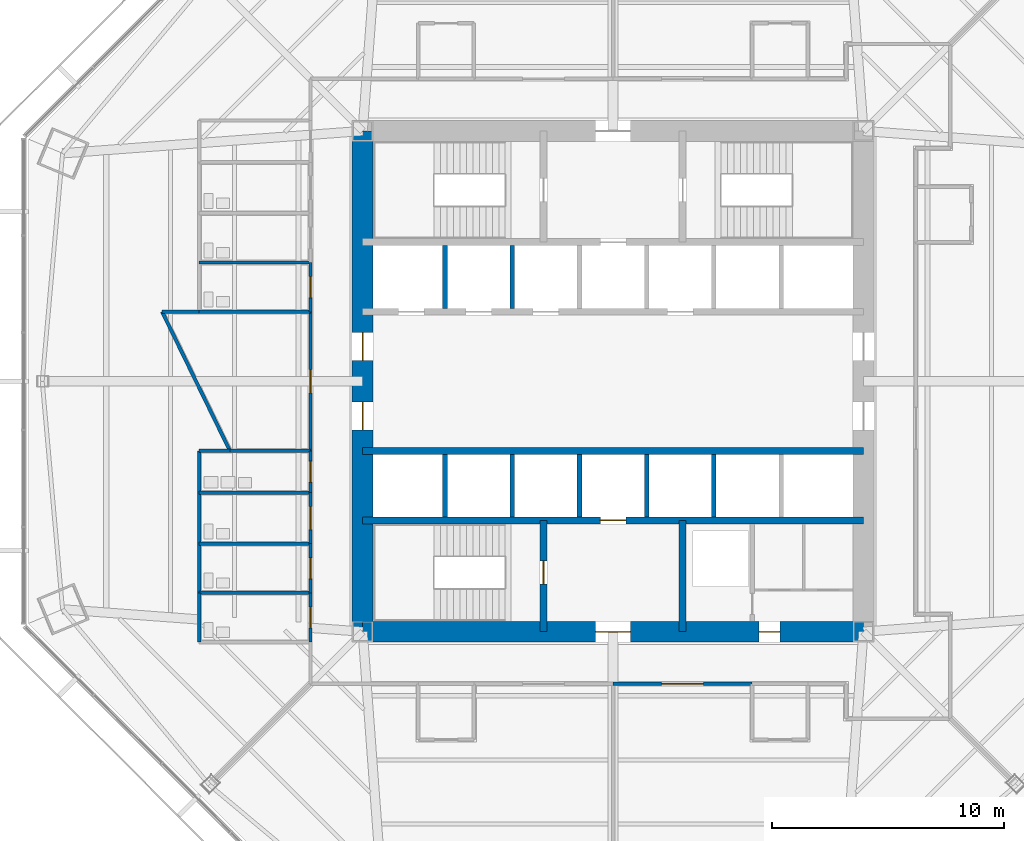
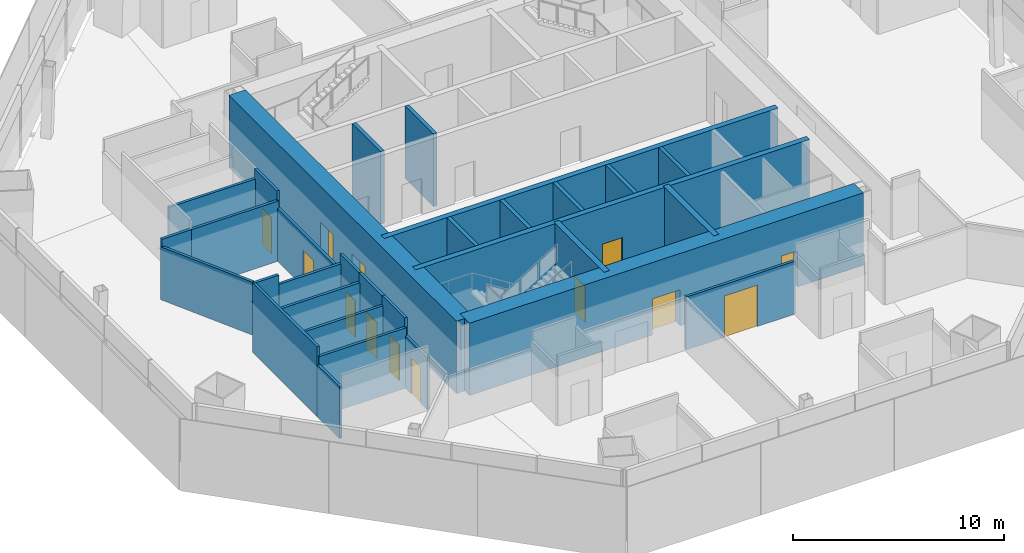
# One storey, part 10 of 17: 31 walls, 13 doors, 13 openings.
"""IFC4 building model written with IfcOpenShell, lengths in metres."""

from ifc_helpers import new_model, si_unit, direction, frame, frame_2d, origin, place, context, subcontext, project, spatial, rectangle, extrude, material, layer, layer_set, type_object, element, fill, save


model = new_model("IFC4")

# Units and contexts
model_context = context("Model", 3, precision=1e-05, world=origin(), true_north=direction((0.0, 1.0)))
body_context = subcontext(model_context, "Body", "Model", "MODEL_VIEW")
ifc_project = project(units=[si_unit("LENGTHUNIT", "METRE"), si_unit("AREAUNIT", "SQUARE_METRE"), si_unit("VOLUMEUNIT", "CUBIC_METRE"), si_unit("PLANEANGLEUNIT", "RADIAN"), si_unit("MASSUNIT", "GRAM", prefix="KILO")], contexts=[model_context])

# Site, building, storey
site_placement = place(None, origin())
site = spatial("IfcSite", under=ifc_project, at=site_placement, CompositionType="ELEMENT")
building_placement = place(site_placement, origin())
building = spatial("IfcBuilding", under=site, at=building_placement, Name="Mashrafa Tower", CompositionType="ELEMENT")
storey_placement = place(building_placement, frame((0.0, 0.0, 91.800048828125)))
storey = spatial("IfcBuildingStorey", under=building, at=storey_placement, Name="L20", CompositionType="ELEMENT", Elevation=91.800048828125)

# Wall
ifc_material_1 = material(Name="Concrete C60/75", Category="concrete")
ifc_layer_1 = layer(ifc_material_1, 0.300048828125)
ifc_layer_set_1 = layer_set([ifc_layer_1], Name="Core wall 300 C60/75")
wall_type_1 = type_object("IfcWallType", Name="Core wall 300 C60/75", PredefinedType="SOLIDWALL", material=ifc_layer_set_1)
wall_1_placement = place(storey_placement, frame((-10.800048828125, -3.0, 0.0), z_axis=(0.0, 0.0, 1.0), x_axis=(1.0, 0.0, 0.0)))
element("IfcWall", 1, at=wall_1_placement, inside=storey, type_object=wall_type_1, Name="Core wall CH-S L20", PredefinedType="SOLIDWALL", context=body_context, shape_type="SweptSolid", body=[
    extrude(rectangle(XDim=21.60009765625, YDim=0.300048828125, at=frame_2d((10.800048828125, 0.0))), origin(), (0.0, 0.0, 1.0), 4.199951171875),
])

# Wall, opening, door
wall_2_placement = place(storey_placement, frame((-10.800048828125, -6.0, 0.0), z_axis=(0.0, 0.0, 1.0), x_axis=(1.0, 0.0, 0.0)))
wall_2 = element("IfcWall", 2, at=wall_2_placement, inside=storey, type_object=wall_type_1, Name="Core wall CB-S L20", PredefinedType="SOLIDWALL", context=body_context, shape_type="SweptSolid", body=[
    extrude(rectangle(XDim=21.60009765625, YDim=0.300048828125, at=frame_2d((10.800048828125, 0.0))), origin(), (0.0, 0.0, 1.0), 4.199951171875),
])
opening_1_placement = place(wall_2_placement, frame((10.25, 0.0, 0.0)))
opening_1 = element("IfcOpeningElement", 3, at=opening_1_placement, cuts=wall_2, Name="Opening 20.F2", PredefinedType="OPENING", context=body_context, shape_type="SweptSolid", body=[
    extrude(rectangle(XDim=1.10009765625, YDim=2.10009765625, at=frame_2d((0.550048828125, 1.050048828125))), frame((0.0, 0.159912109375, 0.0), z_axis=(0.0, -1.0, 0.0), x_axis=(1.0, 0.0, 0.0)), (0.0, 0.0, 1.0), 0.320068359375),
])
ifc_material_2 = material(Name="Steel door", Category="steel")
door_type_1 = type_object("IfcDoorType", Name="Lift landing door 1100 x 2100 90 min", OperationType="DOUBLE_DOOR_SLIDING", PredefinedType="DOOR", material=ifc_material_2)
door_1_placement = place(opening_1_placement, origin())
door_1 = element("IfcDoor", 4, at=door_1_placement, inside=storey, type_object=door_type_1, Name="Lift landing door F2 L20", OperationType="DOUBLE_DOOR_SLIDING", OverallHeight=2.10009765625, OverallWidth=1.10009765625, PredefinedType="DOOR", context=body_context, shape_type="SweptSolid", body=[
    extrude(rectangle(XDim=1.10009765625, YDim=2.10009765625, at=frame_2d((0.550048828125, 1.050048828125))), frame((0.0, 0.02490234375, 0.0), z_axis=(0.0, -1.0, 0.0), x_axis=(1.0, 0.0, 0.0)), (0.0, 0.0, 1.0), 0.050048828125),
])
fill(opening_1, door_1)

wall_3_placement = place(storey_placement, frame((-3.0, -6.0, 0.0), z_axis=(0.0, 0.0, 1.0), x_axis=(0.0, -1.0, 0.0)))
wall_3 = element("IfcWall", 5, at=wall_3_placement, inside=storey, type_object=wall_type_1, Name="Core wall CX-SW L20", PredefinedType="SOLIDWALL", context=body_context, shape_type="SweptSolid", body=[
    extrude(rectangle(XDim=4.800048828125, YDim=0.300048828125, at=frame_2d((2.39990234375, 0.0))), origin(), (0.0, 0.0, 1.0), 4.199951171875),
])
opening_2_placement = place(wall_3_placement, frame((1.75, 0.0, 0.0)))
opening_2 = element("IfcOpeningElement", 6, at=opening_2_placement, cuts=wall_3, Name="Opening 20.034", PredefinedType="OPENING", context=body_context, shape_type="SweptSolid", body=[
    extrude(rectangle(XDim=1.0, YDim=2.10009765625, at=frame_2d((0.5, 1.050048828125))), frame((0.0, 0.159912109375, 0.0), z_axis=(0.0, -1.0, 0.0), x_axis=(1.0, 0.0, 0.0)), (0.0, 0.0, 1.0), 0.320068359375),
])
ifc_material_3 = material(Name="Steel door", Category="steel")
door_type_2 = type_object("IfcDoorType", Name="Stair door 1000 x 2100 90 min", OperationType="USERDEFINED", PredefinedType="DOOR", material=ifc_material_3)
door_2_placement = place(opening_2_placement, frame((1.0, 0.0, 0.0), z_axis=(0.0, 0.0, 1.0), x_axis=(-1.0, 0.0, 0.0)))
door_2 = element("IfcDoor", 7, at=door_2_placement, inside=storey, type_object=door_type_2, Name="Stair S3 door L20", OperationType="SINGLE_SWING_RIGHT", OverallHeight=2.10009765625, OverallWidth=1.0, PredefinedType="DOOR", context=body_context, shape_type="SweptSolid", body=[
    extrude(rectangle(XDim=1.0, YDim=2.10009765625, at=frame_2d((0.5, 1.050048828125))), frame((0.0, 0.02490234375, 0.0), z_axis=(0.0, -1.0, 0.0), x_axis=(1.0, 0.0, 0.0)), (0.0, 0.0, 1.0), 0.050048828125),
])
fill(opening_2, door_2)

# Wall
wall_4_placement = place(storey_placement, frame((3.0, -6.0, 0.0), z_axis=(0.0, 0.0, 1.0), x_axis=(0.0, -1.0, 0.0)))
element("IfcWall", 8, at=wall_4_placement, inside=storey, type_object=wall_type_1, Name="Core wall CX-SE L20", PredefinedType="SOLIDWALL", context=body_context, shape_type="SweptSolid", body=[
    extrude(rectangle(XDim=4.800048828125, YDim=0.300048828125, at=frame_2d((2.39990234375, 0.0))), origin(), (0.0, 0.0, 1.0), 4.199951171875),
])

# Wall, openings, doors
ifc_material_4 = material(Name="Concrete C60/75", Category="concrete")
ifc_layer_2 = layer(ifc_material_4, 0.89990234375)
ifc_layer_set_2 = layer_set([ifc_layer_2], Name="Core wall 900 C60/75")
wall_type_2 = type_object("IfcWallType", Name="Core wall 900 C60/75", PredefinedType="SOLIDWALL", material=ifc_layer_set_2)
wall_5_placement = place(storey_placement, frame((-10.800048828125, -10.800048828125, 0.0), z_axis=(0.0, 0.0, 1.0), x_axis=(1.0, 0.0, 0.0)))
wall_5 = element("IfcWall", 9, at=wall_5_placement, inside=storey, type_object=wall_type_2, Name="Core wall CW-S L20", PredefinedType="SOLIDWALL", context=body_context, shape_type="SweptSolid", body=[
    extrude(rectangle(XDim=21.60009765625, YDim=0.89990234375, at=frame_2d((10.800048828125, 0.0))), origin(), (0.0, 0.0, 1.0), 4.199951171875),
])
opening_3_placement = place(wall_5_placement, frame((10.050048828125, 0.0, 0.0)))
opening_3 = element("IfcOpeningElement", 10, at=opening_3_placement, cuts=wall_5, Name="Opening 20.031", PredefinedType="OPENING", context=body_context, shape_type="SweptSolid", body=[
    extrude(rectangle(XDim=1.5, YDim=2.10009765625, at=frame_2d((0.75, 1.050048828125))), frame((0.0, 0.4599609375, 0.0), z_axis=(0.0, -1.0, 0.0), x_axis=(1.0, 0.0, 0.0)), (0.0, 0.0, 1.0), 0.919921875),
])
opening_4_placement = place(wall_5_placement, frame((17.10009765625, 0.0, 0.0)))
opening_4 = element("IfcOpeningElement", 11, at=opening_4_placement, cuts=wall_5, Name="Opening 20.035", PredefinedType="OPENING", context=body_context, shape_type="SweptSolid", body=[
    extrude(rectangle(XDim=0.89990234375, YDim=2.10009765625, at=frame_2d((0.449951171875, 1.050048828125))), frame((0.0, 0.4599609375, 0.0), z_axis=(0.0, -1.0, 0.0), x_axis=(1.0, 0.0, 0.0)), (0.0, 0.0, 1.0), 0.919921875),
])
ifc_material_5 = material(Name="Steel door", Category="steel")
door_type_3 = type_object("IfcDoorType", Name="Lobby door pair 1500 x 2100 90 min", OperationType="DOUBLE_DOOR_SINGLE_SWING", PredefinedType="DOOR", material=ifc_material_5)
door_3_placement = place(opening_3_placement, origin())
door_3 = element("IfcDoor", 12, at=door_3_placement, inside=storey, type_object=door_type_3, Name="Fire-fighting lobby F2 door L20", OperationType="DOUBLE_DOOR_SINGLE_SWING", OverallHeight=2.10009765625, OverallWidth=1.5, PredefinedType="DOOR", context=body_context, shape_type="SweptSolid", body=[
    extrude(rectangle(XDim=1.5, YDim=2.10009765625, at=frame_2d((0.75, 1.050048828125))), frame((0.0, 0.02490234375, 0.0), z_axis=(0.0, -1.0, 0.0), x_axis=(1.0, 0.0, 0.0)), (0.0, 0.0, 1.0), 0.050048828125),
])
fill(opening_3, door_3)
ifc_material_6 = material(Name="Steel door", Category="steel")
door_type_4 = type_object("IfcDoorType", Name="Service door 900 x 2100 90 min", OperationType="USERDEFINED", PredefinedType="DOOR", material=ifc_material_6)
door_4_placement = place(opening_4_placement, frame((0.89990234375, 0.0, 0.0), z_axis=(0.0, 0.0, 1.0), x_axis=(-1.0, 0.0, 0.0)))
door_4 = element("IfcDoor", 13, at=door_4_placement, inside=storey, type_object=door_type_4, Name="Services Lobby L20 door", OperationType="SINGLE_SWING_LEFT", OverallHeight=2.10009765625, OverallWidth=0.89990234375, PredefinedType="DOOR", context=body_context, shape_type="SweptSolid", body=[
    extrude(rectangle(XDim=0.89990234375, YDim=2.10009765625, at=frame_2d((0.449951171875, 1.050048828125))), frame((0.0, 0.02490234375, 0.0), z_axis=(0.0, -1.0, 0.0), x_axis=(1.0, 0.0, 0.0)), (0.0, 0.0, 1.0), 0.050048828125),
])
fill(opening_4, door_4)

wall_6_placement = place(storey_placement, frame((-10.800048828125, 10.800048828125, 0.0), z_axis=(0.0, 0.0, 1.0), x_axis=(0.0, -1.0, 0.0)))
wall_6 = element("IfcWall", 14, at=wall_6_placement, inside=storey, type_object=wall_type_2, Name="Core wall CW-W L20", PredefinedType="SOLIDWALL", context=body_context, shape_type="SweptSolid", body=[
    extrude(rectangle(XDim=21.60009765625, YDim=0.89990234375, at=frame_2d((10.800048828125, 0.0))), origin(), (0.0, 0.0, 1.0), 4.199951171875),
])
opening_5_placement = place(wall_6_placement, frame((8.699951171875, 0.0, 0.0)))
opening_5 = element("IfcOpeningElement", 15, at=opening_5_placement, cuts=wall_6, Name="Opening 20.027", PredefinedType="OPENING", context=body_context, shape_type="SweptSolid", body=[
    extrude(rectangle(XDim=1.199951171875, YDim=2.10009765625, at=frame_2d((0.60009765625, 1.050048828125))), frame((0.0, 0.4599609375, 0.0), z_axis=(0.0, -1.0, 0.0), x_axis=(1.0, 0.0, 0.0)), (0.0, 0.0, 1.0), 0.919921875),
])
opening_6_placement = place(wall_6_placement, frame((11.699951171875, 0.0, 0.0)))
opening_6 = element("IfcOpeningElement", 16, at=opening_6_placement, cuts=wall_6, Name="Opening 20.029", PredefinedType="OPENING", context=body_context, shape_type="SweptSolid", body=[
    extrude(rectangle(XDim=1.199951171875, YDim=2.10009765625, at=frame_2d((0.60009765625, 1.050048828125))), frame((0.0, 0.4599609375, 0.0), z_axis=(0.0, -1.0, 0.0), x_axis=(1.0, 0.0, 0.0)), (0.0, 0.0, 1.0), 0.919921875),
])
ifc_material_7 = material(Name="Steel door", Category="steel")
door_type_5 = type_object("IfcDoorType", Name="Lift hall door 1200 x 2100 90 min", OperationType="USERDEFINED", PredefinedType="DOOR", material=ifc_material_7)
door_5_placement = place(opening_5_placement, frame((1.199951171875, 0.0, 0.0), z_axis=(0.0, 0.0, 1.0), x_axis=(-1.0, 0.0, 0.0)))
door_5 = element("IfcDoor", 17, at=door_5_placement, inside=storey, type_object=door_type_5, Name="Lift hall door west L20", OperationType="SINGLE_SWING_RIGHT", OverallHeight=2.10009765625, OverallWidth=1.199951171875, PredefinedType="DOOR", context=body_context, shape_type="SweptSolid", body=[
    extrude(rectangle(XDim=1.199951171875, YDim=2.10009765625, at=frame_2d((0.60009765625, 1.050048828125))), frame((0.0, 0.02490234375, 0.0), z_axis=(0.0, -1.0, 0.0), x_axis=(1.0, 0.0, 0.0)), (0.0, 0.0, 1.0), 0.050048828125),
])
fill(opening_5, door_5)
door_6_placement = place(opening_6_placement, frame((1.199951171875, 0.0, 0.0), z_axis=(0.0, 0.0, 1.0), x_axis=(-1.0, 0.0, 0.0)))
door_6 = element("IfcDoor", 18, at=door_6_placement, inside=storey, type_object=door_type_5, Name="Lift hall door west L20", OperationType="SINGLE_SWING_LEFT", OverallHeight=2.10009765625, OverallWidth=1.199951171875, PredefinedType="DOOR", context=body_context, shape_type="SweptSolid", body=[
    extrude(rectangle(XDim=1.199951171875, YDim=2.10009765625, at=frame_2d((0.60009765625, 1.050048828125))), frame((0.0, 0.02490234375, 0.0), z_axis=(0.0, -1.0, 0.0), x_axis=(1.0, 0.0, 0.0)), (0.0, 0.0, 1.0), 0.050048828125),
])
fill(opening_6, door_6)

# Wall, opening, door
ifc_material_8 = material(Name="Gypsum board on steel studs", Category="steel")
ifc_layer_3 = layer(ifc_material_8, 0.14990234375)
ifc_layer_set_3 = layer_set([ifc_layer_3], Name="Corridor partition 150 1 hr")
wall_type_3 = type_object("IfcWallType", Name="Corridor partition 150 1 hr", PredefinedType="PARTITIONING", material=ifc_layer_set_3)
wall_7_placement = place(storey_placement, frame((-13.050048828125, 5.1259765625, 0.0), z_axis=(0.0, 0.0, 1.0), x_axis=(0.0, -1.0, 0.0)))
wall_7 = element("IfcWall", 19, at=wall_7_placement, inside=storey, type_object=wall_type_3, Name="Corridor wall L20-001", PredefinedType="PARTITIONING", context=body_context, shape_type="SweptSolid", body=[
    extrude(rectangle(XDim=2.126953125, YDim=0.14990234375, at=frame_2d((1.0634765625, 0.0))), origin(), (0.0, 0.0, 1.0), 4.034912109375),
])
opening_7_placement = place(wall_7_placement, frame((0.613525390625, 0.0, 0.0)))
opening_7 = element("IfcOpeningElement", 20, at=opening_7_placement, cuts=wall_7, Name="Opening 20.001", PredefinedType="OPENING", context=body_context, shape_type="SweptSolid", body=[
    extrude(rectangle(XDim=0.89990234375, YDim=2.10009765625, at=frame_2d((0.449951171875, 1.050048828125))), frame((0.0, 0.0849609375, 0.0), z_axis=(0.0, -1.0, 0.0), x_axis=(1.0, 0.0, 0.0)), (0.0, 0.0, 1.0), 0.169921875),
])
ifc_material_9 = material(Name="Timber door", Category="wood")
door_type_6 = type_object("IfcDoorType", Name="Toilet door 900 x 2100", OperationType="USERDEFINED", PredefinedType="DOOR", material=ifc_material_9)
door_7_placement = place(opening_7_placement, frame((0.89990234375, 0.0, 0.0), z_axis=(0.0, 0.0, 1.0), x_axis=(-1.0, 0.0, 0.0)))
door_7 = element("IfcDoor", 21, at=door_7_placement, inside=storey, type_object=door_type_6, Name="WC Female L20 N door", OperationType="SINGLE_SWING_RIGHT", OverallHeight=2.10009765625, OverallWidth=0.89990234375, PredefinedType="DOOR", context=body_context, shape_type="SweptSolid", body=[
    extrude(rectangle(XDim=0.89990234375, YDim=2.10009765625, at=frame_2d((0.449951171875, 1.050048828125))), frame((0.0, 0.02490234375, 0.0), z_axis=(0.0, -1.0, 0.0), x_axis=(1.0, 0.0, 0.0)), (0.0, 0.0, 1.0), 0.050048828125),
])
fill(opening_7, door_7)

wall_8_placement = place(storey_placement, frame((-13.050048828125, -9.1240234375, 0.0), z_axis=(0.0, 0.0, 1.0), x_axis=(0.0, -1.0, 0.0)))
wall_8 = element("IfcWall", 22, at=wall_8_placement, inside=storey, type_object=wall_type_3, Name="Corridor wall L20-005", PredefinedType="PARTITIONING", context=body_context, shape_type="SweptSolid", body=[
    extrude(rectangle(XDim=2.126953125, YDim=0.14990234375, at=frame_2d((1.0634765625, 0.0))), origin(), (0.0, 0.0, 1.0), 3.01416015625),
])
opening_8_placement = place(wall_8_placement, frame((0.613525390625, 0.0, 0.0)))
opening_8 = element("IfcOpeningElement", 23, at=opening_8_placement, cuts=wall_8, Name="Opening 20.005", PredefinedType="OPENING", context=body_context, shape_type="SweptSolid", body=[
    extrude(rectangle(XDim=0.89990234375, YDim=2.10009765625, at=frame_2d((0.449951171875, 1.050048828125))), frame((0.0, 0.0849609375, 0.0), z_axis=(0.0, -1.0, 0.0), x_axis=(1.0, 0.0, 0.0)), (0.0, 0.0, 1.0), 0.169921875),
])
door_8_placement = place(opening_8_placement, frame((0.89990234375, 0.0, 0.0), z_axis=(0.0, 0.0, 1.0), x_axis=(-1.0, 0.0, 0.0)))
door_8 = element("IfcDoor", 24, at=door_8_placement, inside=storey, type_object=door_type_6, Name="WC Female L20 S door", OperationType="SINGLE_SWING_RIGHT", OverallHeight=2.10009765625, OverallWidth=0.89990234375, PredefinedType="DOOR", context=body_context, shape_type="SweptSolid", body=[
    extrude(rectangle(XDim=0.89990234375, YDim=2.10009765625, at=frame_2d((0.449951171875, 1.050048828125))), frame((0.0, 0.02490234375, 0.0), z_axis=(0.0, -1.0, 0.0), x_axis=(1.0, 0.0, 0.0)), (0.0, 0.0, 1.0), 0.050048828125),
])
fill(opening_8, door_8)

wall_9_placement = place(storey_placement, frame((-13.050048828125, -6.9990234375, 0.0), z_axis=(0.0, 0.0, 1.0), x_axis=(0.0, -1.0, 0.0)))
wall_9 = element("IfcWall", 25, at=wall_9_placement, inside=storey, type_object=wall_type_3, Name="Corridor wall L20-006", PredefinedType="PARTITIONING", context=body_context, shape_type="SweptSolid", body=[
    extrude(rectangle(XDim=2.126953125, YDim=0.14990234375, at=frame_2d((1.0634765625, 0.0))), origin(), (0.0, 0.0, 1.0), 4.034912109375),
])
opening_9_placement = place(wall_9_placement, frame((0.613525390625, 0.0, 0.0)))
opening_9 = element("IfcOpeningElement", 26, at=opening_9_placement, cuts=wall_9, Name="Opening 20.006", PredefinedType="OPENING", context=body_context, shape_type="SweptSolid", body=[
    extrude(rectangle(XDim=0.89990234375, YDim=2.10009765625, at=frame_2d((0.449951171875, 1.050048828125))), frame((0.0, 0.0849609375, 0.0), z_axis=(0.0, -1.0, 0.0), x_axis=(1.0, 0.0, 0.0)), (0.0, 0.0, 1.0), 0.169921875),
])
door_9_placement = place(opening_9_placement, frame((0.89990234375, 0.0, 0.0), z_axis=(0.0, 0.0, 1.0), x_axis=(-1.0, 0.0, 0.0)))
door_9 = element("IfcDoor", 27, at=door_9_placement, inside=storey, type_object=door_type_6, Name="WC Male L20 S door", OperationType="SINGLE_SWING_RIGHT", OverallHeight=2.10009765625, OverallWidth=0.89990234375, PredefinedType="DOOR", context=body_context, shape_type="SweptSolid", body=[
    extrude(rectangle(XDim=0.89990234375, YDim=2.10009765625, at=frame_2d((0.449951171875, 1.050048828125))), frame((0.0, 0.02490234375, 0.0), z_axis=(0.0, -1.0, 0.0), x_axis=(1.0, 0.0, 0.0)), (0.0, 0.0, 1.0), 0.050048828125),
])
fill(opening_9, door_9)

wall_10_placement = place(storey_placement, frame((-13.050048828125, -4.799072265625, 0.0), z_axis=(0.0, 0.0, 1.0), x_axis=(0.0, -1.0, 0.0)))
wall_10 = element("IfcWall", 28, at=wall_10_placement, inside=storey, type_object=wall_type_3, Name="Corridor wall L20-007", PredefinedType="PARTITIONING", context=body_context, shape_type="SweptSolid", body=[
    extrude(rectangle(XDim=2.201904296875, YDim=0.14990234375, at=frame_2d((1.10107421875, 0.0))), origin(), (0.0, 0.0, 1.0), 4.034912109375),
])
opening_10_placement = place(wall_10_placement, frame((0.60107421875, 0.0, 0.0)))
opening_10 = element("IfcOpeningElement", 29, at=opening_10_placement, cuts=wall_10, Name="Opening 20.007", PredefinedType="OPENING", context=body_context, shape_type="SweptSolid", body=[
    extrude(rectangle(XDim=1.0, YDim=2.10009765625, at=frame_2d((0.5, 1.050048828125))), frame((0.0, 0.0849609375, 0.0), z_axis=(0.0, -1.0, 0.0), x_axis=(1.0, 0.0, 0.0)), (0.0, 0.0, 1.0), 0.169921875),
])
ifc_material_10 = material(Name="Timber door", Category="wood")
door_type_7 = type_object("IfcDoorType", Name="Accessible toilet door 1000 x 2100", OperationType="USERDEFINED", PredefinedType="DOOR", material=ifc_material_10)
door_10_placement = place(opening_10_placement, frame((1.0, 0.0, 0.0), z_axis=(0.0, 0.0, 1.0), x_axis=(-1.0, 0.0, 0.0)))
door_10 = element("IfcDoor", 30, at=door_10_placement, inside=storey, type_object=door_type_7, Name="Accessible WC L20 S door", OperationType="SINGLE_SWING_LEFT", OverallHeight=2.10009765625, OverallWidth=1.0, PredefinedType="DOOR", context=body_context, shape_type="SweptSolid", body=[
    extrude(rectangle(XDim=1.0, YDim=2.10009765625, at=frame_2d((0.5, 1.050048828125))), frame((0.0, 0.02490234375, 0.0), z_axis=(0.0, -1.0, 0.0), x_axis=(1.0, 0.0, 0.0)), (0.0, 0.0, 1.0), 0.050048828125),
])
fill(opening_10, door_10)

wall_11_placement = place(storey_placement, frame((-13.050048828125, -2.9990234375, 0.0), z_axis=(0.0, 0.0, 1.0), x_axis=(0.0, -1.0, 0.0)))
wall_11 = element("IfcWall", 31, at=wall_11_placement, inside=storey, type_object=wall_type_3, Name="Corridor wall L20-008", PredefinedType="PARTITIONING", context=body_context, shape_type="SweptSolid", body=[
    extrude(rectangle(XDim=1.802001953125, YDim=0.14990234375, at=frame_2d((0.90087890625, 0.0))), origin(), (0.0, 0.0, 1.0), 4.034912109375),
])
opening_11_placement = place(wall_11_placement, frame((0.450927734375, 0.0, 0.0)))
opening_11 = element("IfcOpeningElement", 32, at=opening_11_placement, cuts=wall_11, Name="Opening 20.008", PredefinedType="OPENING", context=body_context, shape_type="SweptSolid", body=[
    extrude(rectangle(XDim=0.89990234375, YDim=2.10009765625, at=frame_2d((0.449951171875, 1.050048828125))), frame((0.0, 0.0849609375, 0.0), z_axis=(0.0, -1.0, 0.0), x_axis=(1.0, 0.0, 0.0)), (0.0, 0.0, 1.0), 0.169921875),
])
door_11_placement = place(opening_11_placement, frame((0.89990234375, 0.0, 0.0), z_axis=(0.0, 0.0, 1.0), x_axis=(-1.0, 0.0, 0.0)))
door_11 = element("IfcDoor", 33, at=door_11_placement, inside=storey, type_object=door_type_6, Name="Ablution Room L20 S door", OperationType="SINGLE_SWING_RIGHT", OverallHeight=2.10009765625, OverallWidth=0.89990234375, PredefinedType="DOOR", context=body_context, shape_type="SweptSolid", body=[
    extrude(rectangle(XDim=0.89990234375, YDim=2.10009765625, at=frame_2d((0.449951171875, 1.050048828125))), frame((0.0, 0.02490234375, 0.0), z_axis=(0.0, -1.0, 0.0), x_axis=(1.0, 0.0, 0.0)), (0.0, 0.0, 1.0), 0.050048828125),
])
fill(opening_11, door_11)

wall_12_placement = place(storey_placement, frame((-13.050048828125, 3.0009765625, 0.0), z_axis=(0.0, 0.0, 1.0), x_axis=(0.0, -1.0, 0.0)))
wall_12 = element("IfcWall", 34, at=wall_12_placement, inside=storey, type_object=wall_type_3, Name="Corridor wall L20-009", PredefinedType="PARTITIONING", context=body_context, shape_type="SweptSolid", body=[
    extrude(rectangle(XDim=6.001953125, YDim=0.14990234375, at=frame_2d((3.0009765625, 0.0))), origin(), (0.0, 0.0, 1.0), 3.06494140625),
])
opening_12_placement = place(wall_12_placement, frame((2.5009765625, 0.0, 0.0)))
opening_12 = element("IfcOpeningElement", 35, at=opening_12_placement, cuts=wall_12, Name="Opening 20.009", PredefinedType="OPENING", context=body_context, shape_type="SweptSolid", body=[
    extrude(rectangle(XDim=1.0, YDim=2.10009765625, at=frame_2d((0.5, 1.050048828125))), frame((0.0, 0.0849609375, 0.0), z_axis=(0.0, -1.0, 0.0), x_axis=(1.0, 0.0, 0.0)), (0.0, 0.0, 1.0), 0.169921875),
])
ifc_material_11 = material(Name="Timber door", Category="wood")
door_type_8 = type_object("IfcDoorType", Name="Door 1000 x 2100", OperationType="USERDEFINED", PredefinedType="DOOR", material=ifc_material_11)
door_12_placement = place(opening_12_placement, frame((1.0, 0.0, 0.0), z_axis=(0.0, 0.0, 1.0), x_axis=(-1.0, 0.0, 0.0)))
door_12 = element("IfcDoor", 36, at=door_12_placement, inside=storey, type_object=door_type_8, Name="Musallah Prayer Room 20 door", OperationType="SINGLE_SWING_LEFT", OverallHeight=2.10009765625, OverallWidth=1.0, PredefinedType="DOOR", context=body_context, shape_type="SweptSolid", body=[
    extrude(rectangle(XDim=1.0, YDim=2.10009765625, at=frame_2d((0.5, 1.050048828125))), frame((0.0, 0.02490234375, 0.0), z_axis=(0.0, -1.0, 0.0), x_axis=(1.0, 0.0, 0.0)), (0.0, 0.0, 1.0), 0.050048828125),
])
fill(opening_12, door_12)

wall_13_placement = place(storey_placement, frame((-0.0009765625, -13.050048828125, 0.0), z_axis=(0.0, 0.0, 1.0), x_axis=(1.0, 0.0, 0.0)))
wall_13 = element("IfcWall", 37, at=wall_13_placement, inside=storey, type_object=wall_type_3, Name="Corridor wall L20-029", PredefinedType="PARTITIONING", context=body_context, shape_type="SweptSolid", body=[
    extrude(rectangle(XDim=6.001953125, YDim=0.14990234375, at=frame_2d((3.0009765625, 0.0))), origin(), (0.0, 0.0, 1.0), 3.06494140625),
])
opening_13_placement = place(wall_13_placement, frame((2.10107421875, 0.0, 0.0)))
opening_13 = element("IfcOpeningElement", 38, at=opening_13_placement, cuts=wall_13, Name="Opening 20.024", PredefinedType="OPENING", context=body_context, shape_type="SweptSolid", body=[
    extrude(rectangle(XDim=1.800048828125, YDim=2.39990234375, at=frame_2d((0.89990234375, 1.199951171875))), frame((0.0, 0.0849609375, 0.0), z_axis=(0.0, -1.0, 0.0), x_axis=(1.0, 0.0, 0.0)), (0.0, 0.0, 1.0), 0.169921875),
])
ifc_material_12 = material(Name="Timber door", Category="wood")
door_type_9 = type_object("IfcDoorType", Name="Door pair 1800 x 2400", OperationType="DOUBLE_DOOR_SINGLE_SWING", PredefinedType="DOOR", material=ifc_material_12)
door_13_placement = place(opening_13_placement, frame((1.800048828125, 0.0, 0.0), z_axis=(0.0, 0.0, 1.0), x_axis=(-1.0, 0.0, 0.0)))
door_13 = element("IfcDoor", 39, at=door_13_placement, inside=storey, type_object=door_type_9, Name="Office Suite 20-SE door", OperationType="DOUBLE_DOOR_SINGLE_SWING", OverallHeight=2.39990234375, OverallWidth=1.800048828125, PredefinedType="DOOR", context=body_context, shape_type="SweptSolid", body=[
    extrude(rectangle(XDim=1.800048828125, YDim=2.39990234375, at=frame_2d((0.89990234375, 1.199951171875))), frame((0.0, 0.02490234375, 0.0), z_axis=(0.0, -1.0, 0.0), x_axis=(1.0, 0.0, 0.0)), (0.0, 0.0, 1.0), 0.050048828125),
])
fill(opening_13, door_13)

# Walls
ifc_material_13 = material(Name="Gypsum board on steel studs", Category="steel")
ifc_layer_4 = layer(ifc_material_13, 0.14990234375)
ifc_layer_set_4 = layer_set([ifc_layer_4], Name="Partition 150")
wall_type_4 = type_object("IfcWallType", Name="Partition 150", PredefinedType="PARTITIONING", material=ifc_layer_set_4)
for number, where, z_axis, x_axis, name in (
    (40, (-13.050048828125, 5.125, 0.0), (0.0, 0.0, 1.0), (-1.0, 0.0, 0.0), "Partition wall L20-035"),
    (41, (-17.85009765625, 3.0, 0.0), (0.0, 0.0, 1.0), (1.0, 0.0, 0.0), "Partition wall L20-036"),
    (42, (-13.050048828125, -9.125, 0.0), (0.0, 0.0, 1.0), (-1.0, 0.0, 0.0), "Partition wall L20-044"),
):
    element("IfcWall", number, at=place(storey_placement, frame(where, z_axis=z_axis, x_axis=x_axis)), inside=storey, type_object=wall_type_4, Name=name, PredefinedType="PARTITIONING", context=body_context, shape_type="SweptSolid", body=[
        extrude(rectangle(XDim=4.800048828125, YDim=0.14990234375, at=frame_2d((2.39990234375, 0.0))), origin(), (0.0, 0.0, 1.0), 3.491455078125),
    ])
wall_14_placement = place(storey_placement, frame((-17.85009765625, -9.125, 0.0), z_axis=(0.0, 0.0, 1.0), x_axis=(0.0, -1.0, 0.0)))
element("IfcWall", 43, at=wall_14_placement, inside=storey, type_object=wall_type_4, Name="Partition wall L20-045", PredefinedType="PARTITIONING", context=body_context, shape_type="SweptSolid", body=[
    extrude(rectangle(XDim=2.125, YDim=0.14990234375, at=frame_2d((1.0625, 0.0))), origin(), (0.0, 0.0, 1.0), 3.01416015625),
])
wall_15_placement = place(storey_placement, frame((-13.050048828125, -7.0, 0.0), z_axis=(0.0, 0.0, 1.0), x_axis=(-1.0, 0.0, 0.0)))
element("IfcWall", 44, at=wall_15_placement, inside=storey, type_object=wall_type_4, Name="Partition wall L20-047", PredefinedType="PARTITIONING", context=body_context, shape_type="SweptSolid", body=[
    extrude(rectangle(XDim=4.800048828125, YDim=0.14990234375, at=frame_2d((2.39990234375, 0.0))), origin(), (0.0, 0.0, 1.0), 3.491455078125),
])
wall_16_placement = place(storey_placement, frame((-17.85009765625, -9.125, 0.0), z_axis=(0.0, 0.0, 1.0), x_axis=(0.0, 1.0, 0.0)))
element("IfcWall", 45, at=wall_16_placement, inside=storey, type_object=wall_type_4, Name="Partition wall L20-048", PredefinedType="PARTITIONING", context=body_context, shape_type="SweptSolid", body=[
    extrude(rectangle(XDim=6.125, YDim=0.14990234375, at=frame_2d((3.0625, 0.0))), origin(), (0.0, 0.0, 1.0), 4.034912109375),
])
wall_17_placement = place(storey_placement, frame((-13.050048828125, -4.800048828125, 0.0), z_axis=(0.0, 0.0, 1.0), x_axis=(-1.0, 0.0, 0.0)))
element("IfcWall", 46, at=wall_17_placement, inside=storey, type_object=wall_type_4, Name="Partition wall L20-049", PredefinedType="PARTITIONING", context=body_context, shape_type="SweptSolid", body=[
    extrude(rectangle(XDim=4.800048828125, YDim=0.14990234375, at=frame_2d((2.39990234375, 0.0))), origin(), (0.0, 0.0, 1.0), 3.491455078125),
])
wall_18_placement = place(storey_placement, frame((-13.050048828125, -3.0, 0.0), z_axis=(0.0, 0.0, 1.0), x_axis=(-1.0, 0.0, 0.0)))
element("IfcWall", 47, at=wall_18_placement, inside=storey, type_object=wall_type_4, Name="Partition wall L20-051", PredefinedType="PARTITIONING", context=body_context, shape_type="SweptSolid", body=[
    extrude(rectangle(XDim=3.474609375, YDim=0.14990234375, at=frame_2d((1.7373046875, 0.0))), origin(), (0.0, 0.0, 1.0), 3.491455078125),
])
wall_19_placement = place(storey_placement, frame((-16.5224609375, -3.0, 0.0), z_axis=(0.0, 0.0, 1.0), x_axis=(-1.0, 0.0, 0.0)))
element("IfcWall", 48, at=wall_19_placement, inside=storey, type_object=wall_type_4, Name="Partition wall L20-052", PredefinedType="PARTITIONING", context=body_context, shape_type="SweptSolid", body=[
    extrude(rectangle(XDim=1.32763671875, YDim=0.14990234375, at=frame_2d((0.663818359375, 0.0))), origin(), (0.0, 0.0, 1.0), 4.034912109375),
])
wall_20_placement = place(storey_placement, frame((-17.84912109375, 3.0, 0.0), z_axis=(0.0, 0.0, 1.0), x_axis=(-1.0, 0.0, 0.0)))
element("IfcWall", 49, at=wall_20_placement, inside=storey, type_object=wall_type_4, Name="Partition wall L20-054", PredefinedType="PARTITIONING", context=body_context, shape_type="SweptSolid", body=[
    extrude(rectangle(XDim=1.600830078125, YDim=0.14990234375, at=frame_2d((0.80029296875, 0.0))), origin(), (0.0, 0.0, 1.0), 3.499267578125),
])
wall_21_placement = place(storey_placement, frame((-19.449951171875, 3.0, 0.0), z_axis=(0.0, 0.0, 1.0), x_axis=(0.43835589904, -0.898801482963, 0.0)))
element("IfcWall", 50, at=wall_21_placement, inside=storey, type_object=wall_type_4, Name="Partition wall L20-055", PredefinedType="PARTITIONING", context=body_context, shape_type="SweptSolid", body=[
    extrude(rectangle(XDim=6.675537109375, YDim=0.14990234375, at=frame_2d((3.337890625, 0.0))), origin(), (0.0, 0.0, 1.0), 3.06494140625),
])
ifc_material_14 = material(Name="Gypsum shaft wall on steel studs", Category="steel")
ifc_layer_5 = layer(ifc_material_14, 0.199951171875)
ifc_layer_set_5 = layer_set([ifc_layer_5], Name="Shaft divider wall 200 2 hr")
wall_type_5 = type_object("IfcWallType", Name="Shaft divider wall 200 2 hr", PredefinedType="PARTITIONING", material=ifc_layer_set_5)
for number, where, z_axis, x_axis, name in (
    (51, (-7.25, 3.14990234375, 0.0), (0.0, 0.0, 1.0), (0.0, 1.0, 0.0), "Shaft divider wall N1 L20"),
    (52, (-4.35009765625, 3.14990234375, 0.0), (0.0, 0.0, 1.0), (0.0, 1.0, 0.0), "Shaft divider wall N2 L20"),
    (53, (-7.25, -5.85009765625, 0.0), (0.0, 0.0, 1.0), (0.0, 1.0, 0.0), "Shaft divider wall S1 L20"),
    (54, (-4.35009765625, -5.85009765625, 0.0), (0.0, 0.0, 1.0), (0.0, 1.0, 0.0), "Shaft divider wall S2 L20"),
    (55, (-1.449951171875, -5.85009765625, 0.0), (0.0, 0.0, 1.0), (0.0, 1.0, 0.0), "Shaft divider wall S3 L20"),
    (56, (1.449951171875, -5.85009765625, 0.0), (0.0, 0.0, 1.0), (0.0, 1.0, 0.0), "Shaft divider wall S4 L20"),
    (57, (4.35009765625, -5.85009765625, 0.0), (0.0, 0.0, 1.0), (0.0, 1.0, 0.0), "Shaft divider wall S5 L20"),
):
    element("IfcWall", number, at=place(storey_placement, frame(where, z_axis=z_axis, x_axis=x_axis)), inside=storey, type_object=wall_type_5, Name=name, PredefinedType="PARTITIONING", context=body_context, shape_type="SweptSolid", body=[
        extrude(rectangle(XDim=2.7001953125, YDim=0.199951171875, at=frame_2d((1.35009765625, 0.0))), origin(), (0.0, 0.0, 1.0), 4.199951171875),
    ])

save(model, "model.ifc")
